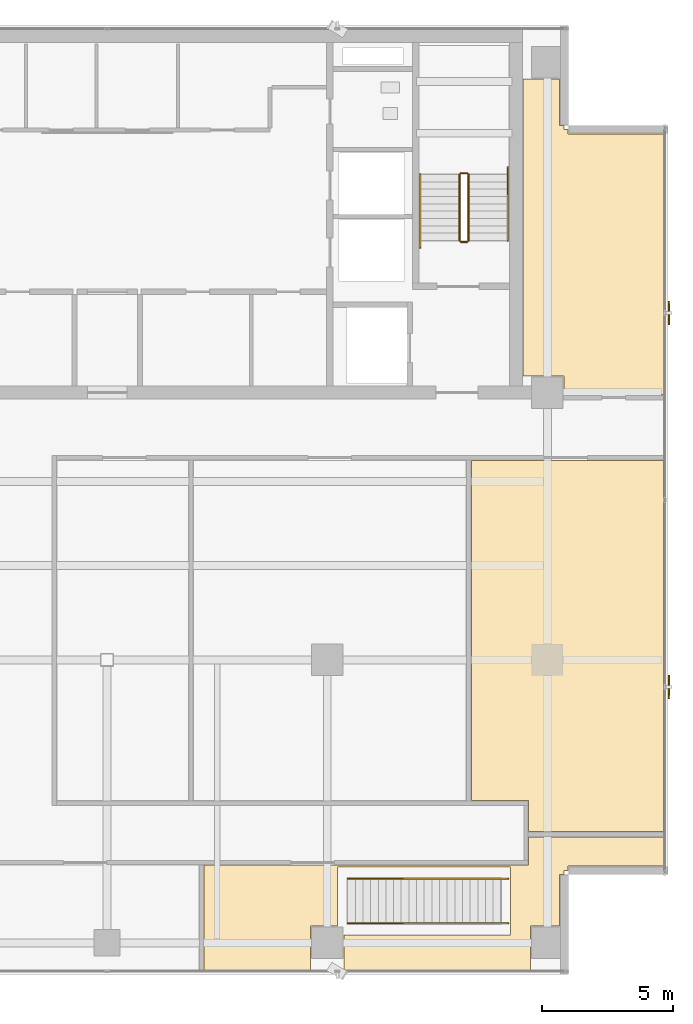
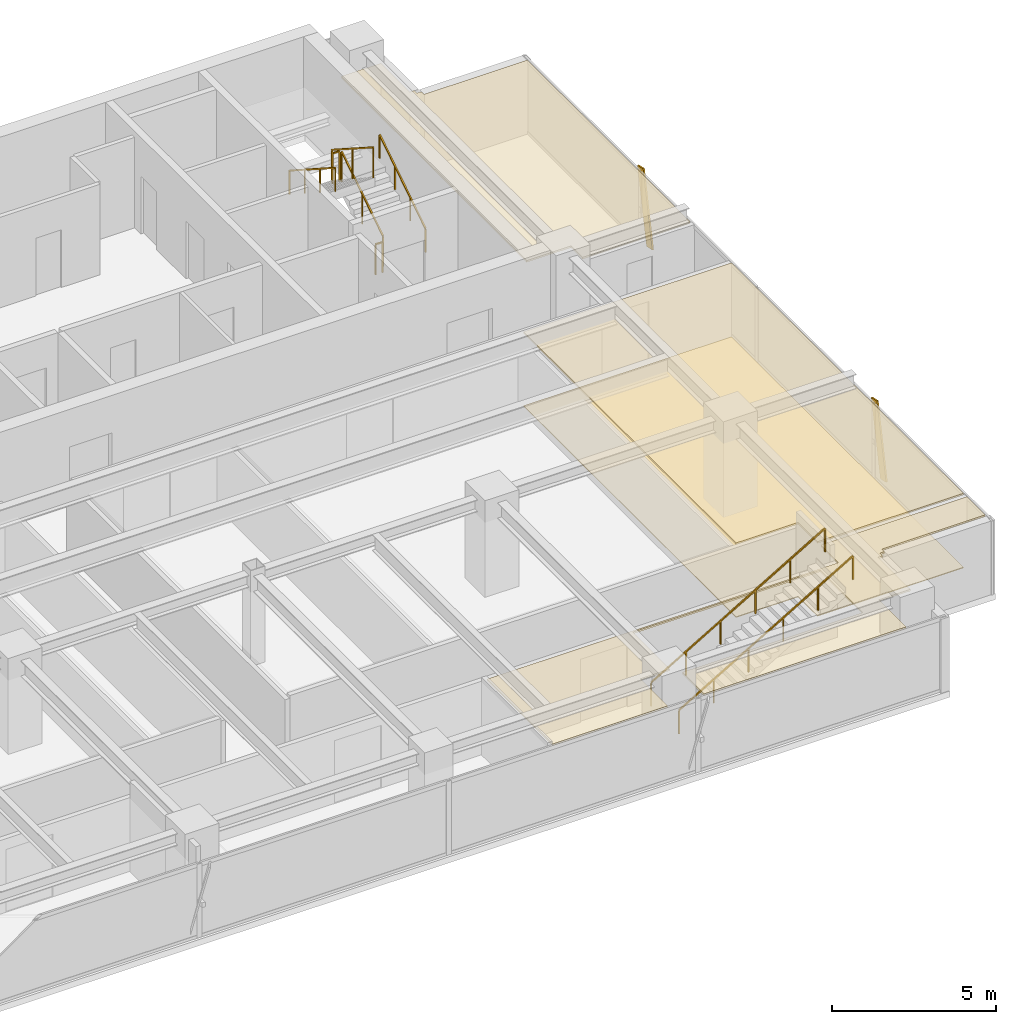
# One storey, part 20 of 22: 8 railings, 4 coverings, 2 shading devices.
"""IFC4 building model written with IfcOpenShell, lengths in metres."""

from ifc_helpers import new_model, si_unit, direction, frame, origin, origin_2d, place, context, subcontext, project, spatial, polyline, rectangle, outline, extrude, source, transform, mapped, material, layer, layer_set, material_profile, profile_set, type_object, element, save


model = new_model("IFC4")

# Units and contexts
model_context = context("Model", 3, precision=1e-05, world=origin(), true_north=direction((0.0, 1.0)))
body_context = subcontext(model_context, "Body", "Model", "MODEL_VIEW")
ifc_project = project(units=[si_unit("LENGTHUNIT", "METRE"), si_unit("AREAUNIT", "SQUARE_METRE"), si_unit("VOLUMEUNIT", "CUBIC_METRE"), si_unit("PLANEANGLEUNIT", "RADIAN"), si_unit("MASSUNIT", "GRAM", prefix="KILO")], contexts=[model_context])

# Site, building, storey
site_placement = place(None, origin())
site = spatial("IfcSite", under=ifc_project, at=site_placement, CompositionType="ELEMENT")
building_placement = place(site_placement, origin())
building = spatial("IfcBuilding", under=site, at=building_placement, Name="Sumidabori Civic Tower", CompositionType="ELEMENT")
storey_placement = place(building_placement, frame((0.0, 0.0, 286.39990234375)))
storey = spatial("IfcBuildingStorey", under=building, at=storey_placement, Name="L75", CompositionType="ELEMENT", Elevation=286.39990234375)

# Coverings
ifc_material_1 = material(Name="Gypsum Coffered Acoustic Ceiling")
ifc_layer_1 = layer(ifc_material_1, 0.06494140625, Name="Gypsum Coffered Acoustic Ceiling")
ifc_layer_set_1 = layer_set([ifc_layer_1], Name="Gypsum Coffered Acoustic Ceiling")
covering_type_1 = type_object("IfcCoveringType", Name="CV-CEIL-AC4", PredefinedType="CEILING", material=ifc_layer_set_1)
covering_1_placement = place(storey_placement, frame((0.0, 0.0, 2.72021484375)))
element("IfcCovering", 1, at=covering_1_placement, inside=storey, type_object=covering_type_1, Name="Room Acoustic Ceiling L75-02", PredefinedType="CEILING", context=body_context, shape_type="SweptSolid", body=[
    extrude(outline(polyline([(15.8779296875, 22.159912109375), (17.27197265625, 22.159912109375), (17.27197265625, 20.39208984375), (17.429931640625, 20.39208984375), (17.429931640625, 20.22998046875), (17.592041015625, 20.22998046875), (17.592041015625, 20.072021484375), (21.22998046875, 20.072021484375), (21.22998046875, 10.135009765625), (17.43994140625, 10.135009765625), (17.43994140625, 10.840087890625), (15.8779296875, 10.840087890625), (15.8779296875, 22.159912109375)])), origin(), (0.0, 0.0, 1.0), 0.06494140625),
])
covering_2_placement = place(storey_placement, frame((0.0, 0.0, 2.72021484375)))
element("IfcCovering", 2, at=covering_2_placement, inside=storey, type_object=covering_type_1, Name="Room Acoustic Ceiling L75-07", PredefinedType="CEILING", context=body_context, shape_type="SweptSolid", body=[
    extrude(outline(polyline([(16.0849609375, -5.364990234375), (13.902587890625, -5.364990234375), (13.902587890625, 7.614990234375), (21.22998046875, 7.614990234375), (21.22998046875, -6.547607421875), (16.0849609375, -6.547607421875), (16.0849609375, -5.364990234375)])), origin(), (0.0, 0.0, 1.0), 0.06494140625),
])
covering_3_placement = place(storey_placement, frame((0.0, 0.0, 2.72021484375)))
element("IfcCovering", 3, at=covering_3_placement, inside=storey, type_object=covering_type_1, Name="Room Acoustic Ceiling L75-10", PredefinedType="CEILING", context=body_context, shape_type="SweptSolid", body=[
    extrude(outline(polyline([(16.0849609375, -6.75244140625), (21.22998046875, -6.75244140625), (21.22998046875, -7.8720703125), (17.592041015625, -7.8720703125), (17.592041015625, -8.030029296875), (17.429931640625, -8.030029296875), (17.429931640625, -8.19189453125), (17.27197265625, -8.19189453125), (17.27197265625, -10.159912109375), (16.159912109375, -10.159912109375), (16.159912109375, -11.830078125), (9.0400390625, -11.830078125), (9.0400390625, -10.5), (15.39990234375, -10.5), (15.39990234375, -7.89990234375), (8.800048828125, -7.89990234375), (8.800048828125, -10.159912109375), (7.760009765625, -10.159912109375), (7.760009765625, -11.830078125), (3.702392578125, -11.830078125), (3.702392578125, -7.8349609375), (16.0849609375, -7.8349609375), (16.0849609375, -6.75244140625)])), origin(), (0.0, 0.0, 1.0), 0.06494140625),
])
ifc_material_2 = material(Name="Honed Terrazzo Tile Flooring")
ifc_layer_2 = layer(ifc_material_2, 0.030029296875, Name="Honed Terrazzo Tile Flooring")
ifc_layer_set_2 = layer_set([ifc_layer_2], Name="Honed Terrazzo Tile Flooring")
covering_type_2 = type_object("IfcCoveringType", Name="CV-FLR-TER", PredefinedType="FLOORING", material=ifc_layer_set_2)
covering_4_placement = place(storey_placement, origin())
element("IfcCovering", 4, at=covering_4_placement, inside=storey, type_object=covering_type_2, Name="Room Terrazzo Floor L75-07", PredefinedType="FLOORING", context=body_context, shape_type="SweptSolid", body=[
    extrude(outline(polyline([(16.0849609375, -5.364990234375), (13.902587890625, -5.364990234375), (13.902587890625, 7.614990234375), (21.22998046875, 7.614990234375), (21.22998046875, -6.547607421875), (16.0849609375, -6.547607421875), (16.0849609375, -5.364990234375)])), origin(), (0.0, 0.0, 1.0), 0.030029296875),
])

# Railings
ifc_material_3 = material(Name="Stainless Steel Hairline Finish", Category="steel")
railing_type_1 = type_object("IfcRailingType", Name="RL-HANDRAIL", PredefinedType="HANDRAIL", material=ifc_material_3)
railing_1_placement = place(storey_placement, frame((15.2900390625, 16.0, 0.18017578125)))
element("IfcRailing", 5, at=railing_1_placement, inside=storey, type_object=railing_type_1, Name="L75 ST-2 stair handrail 1", PredefinedType="HANDRAIL", context=body_context, shape_type="SweptSolid", body=[
    extrude(rectangle(XDim=0.048095703125, YDim=0.048095703125, at=origin_2d()), frame((0.0, 0.0, 0.8759765625), z_axis=(0.0, 0.840675598268, 0.541539046124), x_axis=(-1.0, 0.0, 0.0)), (0.0, 0.0, 1.0), 3.330810546875),
    extrude(rectangle(XDim=0.0419921875, YDim=0.0419921875, at=origin_2d()), origin(), (0.0, 0.0, 1.0), 0.851806640625),
    extrude(rectangle(XDim=0.0419921875, YDim=0.0419921875, at=origin_2d()), frame((0.0, 0.933349609375, 0.601318359375)), (0.0, 0.0, 1.0), 0.851806640625),
    extrude(rectangle(XDim=0.0419921875, YDim=0.0419921875, at=origin_2d()), frame((0.0, 1.86669921875, 1.202392578125)), (0.0, 0.0, 1.0), 0.851806640625),
    extrude(rectangle(XDim=0.0419921875, YDim=0.0419921875, at=origin_2d()), frame((0.0, 2.800048828125, 1.8037109375)), (0.0, 0.0, 1.0), 0.851806640625),
])
railing_2_placement = place(storey_placement, frame((11.949951171875, 18.52001953125, 1.97998046875)))
element("IfcRailing", 6, at=railing_2_placement, inside=storey, type_object=railing_type_1, Name="L75 ST-2 stair handrail 2", PredefinedType="HANDRAIL", context=body_context, shape_type="SweptSolid", body=[
    extrude(rectangle(XDim=0.048095703125, YDim=0.048095703125, at=origin_2d()), frame((0.0, 0.0, 0.8759765625), z_axis=(0.0, -0.84064222762, 0.54159084662), x_axis=(1.0, 0.0, 0.0)), (0.0, 0.0, 1.0), 3.330810546875),
    extrude(rectangle(XDim=0.0419921875, YDim=0.0419921875, at=origin_2d()), origin(), (0.0, 0.0, 1.0), 0.851806640625),
    extrude(rectangle(XDim=0.0419921875, YDim=0.0419921875, at=origin_2d()), frame((0.0, -0.933349609375, 0.601318359375)), (0.0, 0.0, 1.0), 0.851806640625),
    extrude(rectangle(XDim=0.0419921875, YDim=0.0419921875, at=origin_2d()), frame((0.0, -1.86669921875, 1.20263671875)), (0.0, 0.0, 1.0), 0.851806640625),
    extrude(rectangle(XDim=0.0419921875, YDim=0.0419921875, at=origin_2d()), frame((0.0, -2.800048828125, 1.803955078125)), (0.0, 0.0, 1.0), 0.851806640625),
])
for number, where, name in (
    (7, (9.179931640625, -10.050048828125, 0.171630859375), "Stair Handrail ST:L75:OBS-DUP-L"),
    (8, (9.179931640625, -8.35009765625, 0.171630859375), "Stair Handrail ST:L75:OBS-DUP-R"),
):
    element("IfcRailing", number, at=place(storey_placement, frame(where)), inside=storey, type_object=railing_type_1, Name=name, PredefinedType="HANDRAIL", context=body_context, shape_type="SweptSolid", body=[
        extrude(rectangle(XDim=0.048095703125, YDim=0.048095703125, at=origin_2d()), frame((0.0, 0.0, 0.8759765625), z_axis=(0.86216972827, 0.0, 0.506619541328), x_axis=(0.0, 1.0, 0.0)), (0.0, 0.0, 1.0), 7.1123046875),
        extrude(rectangle(XDim=0.0419921875, YDim=0.0419921875, at=origin_2d()), origin(), (0.0, 0.0, 1.0), 0.851806640625),
        extrude(rectangle(XDim=0.0419921875, YDim=0.0419921875, at=origin_2d()), frame((1.226318359375, 0.0, 0.720703125)), (0.0, 0.0, 1.0), 0.851806640625),
        extrude(rectangle(XDim=0.0419921875, YDim=0.0419921875, at=origin_2d()), frame((2.452880859375, 0.0, 1.44140625)), (0.0, 0.0, 1.0), 0.851806640625),
        extrude(rectangle(XDim=0.0419921875, YDim=0.0419921875, at=origin_2d()), frame((3.67919921875, 0.0, 2.161865234375)), (0.0, 0.0, 1.0), 0.851806640625),
        extrude(rectangle(XDim=0.0419921875, YDim=0.0419921875, at=origin_2d()), frame((4.90576171875, 0.0, 2.882568359375)), (0.0, 0.0, 1.0), 0.851806640625),
        extrude(rectangle(XDim=0.0419921875, YDim=0.0419921875, at=origin_2d()), frame((6.132080078125, 0.0, 3.603271484375)), (0.0, 0.0, 1.0), 0.851806640625),
    ])
ifc_material_4 = material(Name="Steel SN490", Category="steel")
railing_type_2 = type_object("IfcRailingType", Name="RL-STAIR-GUARD", PredefinedType="GUARDRAIL", material=ifc_material_4)
railing_3_placement = place(storey_placement, frame((13.7900390625, 16.0, 0.18017578125)))
element("IfcRailing", 9, at=railing_3_placement, inside=storey, type_object=railing_type_2, Name="L75 ST-2 stair guard 1", PredefinedType="GUARDRAIL", context=body_context, shape_type="SweptSolid", body=[
    extrude(rectangle(XDim=0.048095703125, YDim=0.048095703125, at=origin_2d()), frame((0.0, 0.0, 1.1259765625), z_axis=(0.0, 0.841199657755, 0.540724639528), x_axis=(-1.0, 0.0, 0.0)), (0.0, 0.0, 1.0), 2.995849609375),
    extrude(rectangle(XDim=0.0419921875, YDim=0.0419921875, at=origin_2d()), origin(), (0.0, 0.0, 1.0), 1.101806640625),
    extrude(rectangle(XDim=0.0419921875, YDim=0.0419921875, at=origin_2d()), frame((0.0, 1.260009765625, 0.81005859375)), (0.0, 0.0, 1.0), 1.101806640625),
    extrude(rectangle(XDim=0.0419921875, YDim=0.0419921875, at=origin_2d()), frame((0.0, 2.52001953125, 1.619873046875)), (0.0, 0.0, 1.0), 1.101806640625),
])
railing_4_placement = place(storey_placement, frame((13.739990234375, 18.570068359375, 1.800048828125)))
element("IfcRailing", 10, at=railing_4_placement, inside=storey, type_object=railing_type_2, Name="L75 ST-2 stair guard 2", PredefinedType="GUARDRAIL", context=body_context, shape_type="SweptSolid", body=[
    extrude(rectangle(XDim=0.048095703125, YDim=0.048095703125, at=origin_2d()), frame((0.0, 0.0, 1.1259765625), z_axis=(-1.0, 0.0, 0.0), x_axis=(0.0, -1.0, 0.0)), (0.0, 0.0, 1.0), 0.239990234375),
    extrude(rectangle(XDim=0.0419921875, YDim=0.0419921875, at=origin_2d()), origin(), (0.0, 0.0, 1.0), 1.101806640625),
    extrude(rectangle(XDim=0.0419921875, YDim=0.0419921875, at=origin_2d()), frame((-0.239990234375, 0.0, 0.0)), (0.0, 0.0, 1.0), 1.101806640625),
])
railing_5_placement = place(storey_placement, frame((13.449951171875, 18.52001953125, 1.97998046875)))
element("IfcRailing", 11, at=railing_5_placement, inside=storey, type_object=railing_type_2, Name="L75 ST-2 stair guard 3", PredefinedType="GUARDRAIL", context=body_context, shape_type="SweptSolid", body=[
    extrude(rectangle(XDim=0.048095703125, YDim=0.048095703125, at=origin_2d()), frame((0.0, 0.0, 1.1259765625), z_axis=(0.0, -0.841162588446, 0.540782303519), x_axis=(1.0, 0.0, 0.0)), (0.0, 0.0, 1.0), 2.995849609375),
    extrude(rectangle(XDim=0.0419921875, YDim=0.0419921875, at=origin_2d()), origin(), (0.0, 0.0, 1.0), 1.101806640625),
    extrude(rectangle(XDim=0.0419921875, YDim=0.0419921875, at=origin_2d()), frame((0.0, -1.260009765625, 0.81005859375)), (0.0, 0.0, 1.0), 1.101806640625),
    extrude(rectangle(XDim=0.0419921875, YDim=0.0419921875, at=origin_2d()), frame((0.0, -2.52001953125, 1.6201171875)), (0.0, 0.0, 1.0), 1.101806640625),
])
railing_6_placement = place(storey_placement, frame((13.739990234375, 15.949951171875, 0.0)))
element("IfcRailing", 12, at=railing_6_placement, inside=storey, type_object=railing_type_2, Name="L75 ST-2 stair guard 4", PredefinedType="GUARDRAIL", context=body_context, shape_type="SweptSolid", body=[
    extrude(rectangle(XDim=0.048095703125, YDim=0.048095703125, at=origin_2d()), frame((0.0, 0.0, 1.1259765625), z_axis=(-1.0, 0.0, 0.0), x_axis=(0.0, -1.0, 0.0)), (0.0, 0.0, 1.0), 0.239990234375),
    extrude(rectangle(XDim=0.0419921875, YDim=0.0419921875, at=origin_2d()), origin(), (0.0, 0.0, 1.0), 1.101806640625),
    extrude(rectangle(XDim=0.0419921875, YDim=0.0419921875, at=origin_2d()), frame((-0.239990234375, 0.0, 0.0)), (0.0, 0.0, 1.0), 1.101806640625),
])

# Shading devices
ifc_material_5 = material(Name="Anodised Bronze Aluminium AW-6063-T6", Category="aluminium")
ifc_material_profile = material_profile(ifc_material_5, rectangle(XDim=0.054931640625, YDim=0.360107421875, at=origin_2d()), Name="BRONZE FIN 360x55")
ifc_profile_set = profile_set([ifc_material_profile], Name="Anodised Bronze Aluminium AW-6063-T6")
shading_device_type = type_object("IfcShadingDeviceType", Name="SH-FIN-360", PredefinedType="USERDEFINED", material=ifc_profile_set)
shared_shape = source(origin(), body_context, "Body", "SweptSolid", [
    extrude(rectangle(XDim=0.054931640625, YDim=0.360107421875, at=origin_2d()), origin(), (0.0, 0.0, 1.0), 2.747802734375),
])
for number, where, z_axis, x_axis, name in (
    (13, (21.449951171875, -1.31494140625, 0.02001953125), (0.0, 0.203815880787, 0.97900923731), (-1.0, 0.0, 0.0), "Bronze Anodised Diagonal Fin L75-01"),
    (14, (21.449951171875, 12.955078125, 0.02001953125), (0.0, 0.203730721899, 0.979026962323), (-1.0, 0.0, 0.0), "Bronze Anodised Diagonal Fin L75-03"),
):
    element("IfcShadingDevice", number, at=place(storey_placement, frame(where, z_axis=z_axis, x_axis=x_axis)), inside=storey, type_object=shading_device_type, Name=name, ObjectType="FIN", PredefinedType="USERDEFINED", context=body_context, shape_type="MappedRepresentation", body=[
        mapped(shared_shape, transform((0.0, 0.0, 0.0), x_axis=(1.0, 0.0, 0.0), y_axis=(0.0, 1.0, 0.0), z_axis=(0.0, 0.0, 1.0), scale=1.0)),
    ])

save(model, "model.ifc")
